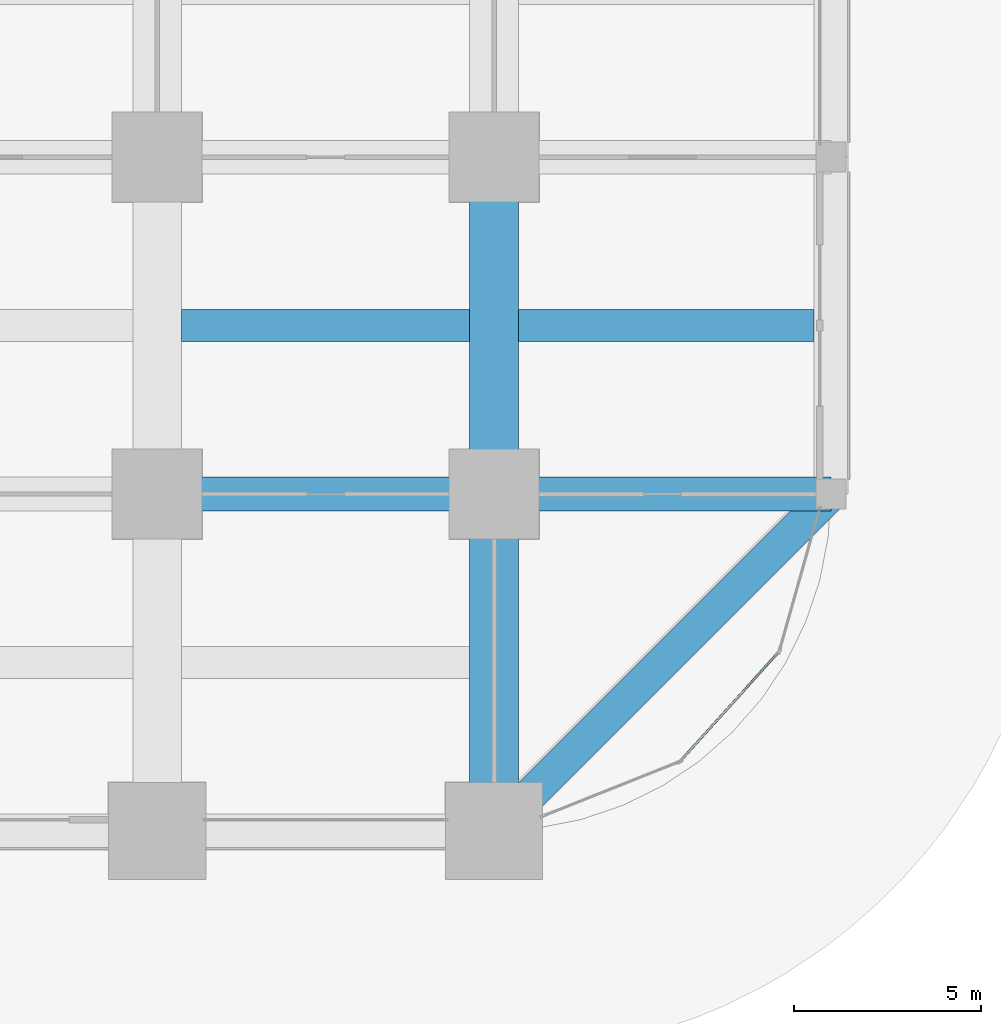
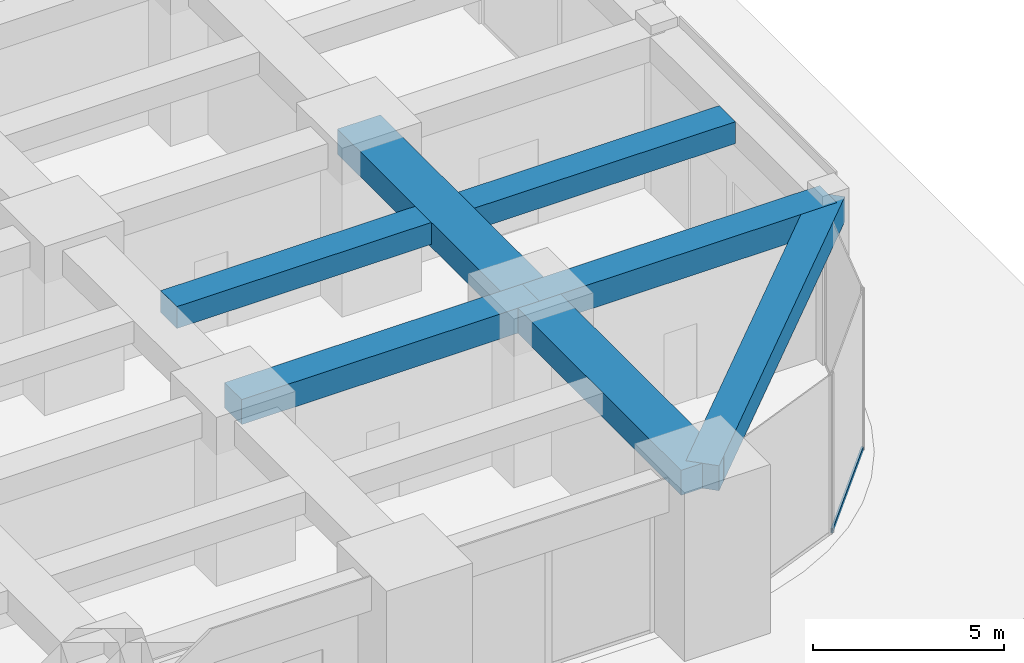
# One storey, part 30 of 56: 7 beams, 1 member, 1 element without a shape of its own.
"""IFC4 building model written with IfcOpenShell, lengths in metres."""

from ifc_helpers import new_model, si_unit, direction, frame, origin, origin_2d, place, context, subcontext, project, spatial, rectangle, hollow_rectangle, extrude, material, material_profile, profile_set, type_object, element, aggregate, save


model = new_model("IFC4")

# Units and contexts
model_context = context("Model", 3, precision=1e-05, world=origin(), true_north=direction((0.0, 1.0)))
body_context = subcontext(model_context, "Body", "Model", "MODEL_VIEW")
ifc_project = project(units=[si_unit("LENGTHUNIT", "METRE"), si_unit("AREAUNIT", "SQUARE_METRE"), si_unit("VOLUMEUNIT", "CUBIC_METRE"), si_unit("PLANEANGLEUNIT", "RADIAN"), si_unit("MASSUNIT", "GRAM", prefix="KILO")], contexts=[model_context])

# Site, building, storey
site_placement = place(None, origin())
site = spatial("IfcSite", under=ifc_project, at=site_placement, CompositionType="ELEMENT")
building_placement = place(site_placement, origin())
building = spatial("IfcBuilding", under=site, at=building_placement, Name="Zorevar Civic Tower", CompositionType="ELEMENT")
storey_placement = place(building_placement, origin())
storey = spatial("IfcBuildingStorey", under=building, at=storey_placement, Name="L00", CompositionType="ELEMENT", Elevation=0.0)

# Beams
ifc_material_1 = material(Name="Concrete C50/60", Category="concrete")
ifc_material_profile_1 = material_profile(ifc_material_1, rectangle(XDim=1.300048828125, YDim=0.800048828125, at=origin_2d()), Name="RC 1300x800")
ifc_profile_set_1 = profile_set([ifc_material_profile_1], Name="Concrete C50/60")
beam_type_1 = type_object("IfcBeamType", Name="Beam RC 1300x800", PredefinedType="BEAM", material=ifc_profile_set_1)
for number, where, z_axis, x_axis, name in (
    (1, (63.0, 0.0, 4.699951171875), (0.0, 1.0, 0.0), (-1.0, 0.0, 0.0), "Girder L01"),
    (2, (63.0, 9.0, 4.699951171875), (0.0, 1.0, 0.0), (-1.0, 0.0, 0.0), "Girder L01"),
):
    element("IfcBeam", number, at=place(storey_placement, frame(where, z_axis=z_axis, x_axis=x_axis)), inside=storey, type_object=beam_type_1, Name=name, PredefinedType="BEAM", context=body_context, shape_type="SweptSolid", body=[
        extrude(rectangle(XDim=1.300048828125, YDim=0.800048828125, at=origin_2d()), origin(), (0.0, 0.0, 1.0), 9.0),
    ])
ifc_material_2 = material(Name="Concrete C50/60", Category="concrete")
ifc_material_profile_2 = material_profile(ifc_material_2, rectangle(XDim=0.85009765625, YDim=0.699951171875, at=origin_2d()), Name="RC 850x700")
ifc_profile_set_2 = profile_set([ifc_material_profile_2], Name="Concrete C50/60")
beam_type_2 = type_object("IfcBeamType", Name="Beam RC 850x700", PredefinedType="BEAM", material=ifc_profile_set_2)
beam_1_placement = place(storey_placement, frame((54.64990234375, 13.5, 4.75), z_axis=(1.0, 0.0, 0.0), x_axis=(0.0, 1.0, 0.0)))
element("IfcBeam", 3, at=beam_1_placement, inside=storey, type_object=beam_type_2, Name="Secondary beam L01", PredefinedType="BEAM", context=body_context, shape_type="SweptSolid", body=[
    extrude(rectangle(XDim=0.85009765625, YDim=0.699951171875, at=origin_2d()), origin(), (0.0, 0.0, 1.0), 7.7001953125),
])
beam_2_placement = place(storey_placement, frame((63.64990234375, 13.5, 4.75), z_axis=(1.0, 0.0, 0.0), x_axis=(0.0, 1.0, 0.0)))
element("IfcBeam", 4, at=beam_2_placement, inside=storey, type_object=beam_type_2, Name="Secondary beam L01", PredefinedType="BEAM", context=body_context, shape_type="SweptSolid", body=[
    extrude(rectangle(XDim=0.85009765625, YDim=0.699951171875, at=origin_2d()), origin(), (0.0, 0.0, 1.0), 7.900146484375),
])
ifc_material_3 = material(Name="Concrete C50/60", Category="concrete")
ifc_material_profile_3 = material_profile(ifc_material_3, rectangle(XDim=0.89990234375, YDim=0.800048828125, at=origin_2d()), Name="RC 900x800")
ifc_profile_set_3 = profile_set([ifc_material_profile_3], Name="Concrete C50/60")
beam_type_3 = type_object("IfcBeamType", Name="Beam RC 900x800", PredefinedType="BEAM", material=ifc_profile_set_3)
for number, where, z_axis, x_axis, name in (
    (5, (54.0, 9.0, 4.699951171875), (1.0, 0.0, 0.0), (0.0, 1.0, 0.0), "Girder L01"),
    (6, (63.0, 9.0, 4.699951171875), (1.0, 0.0, 0.0), (0.0, 1.0, 0.0), "Girder L01"),
):
    element("IfcBeam", number, at=place(storey_placement, frame(where, z_axis=z_axis, x_axis=x_axis)), inside=storey, type_object=beam_type_3, Name=name, PredefinedType="BEAM", context=body_context, shape_type="SweptSolid", body=[
        extrude(rectangle(XDim=0.89990234375, YDim=0.800048828125, at=origin_2d()), origin(), (0.0, 0.0, 1.0), 9.0),
    ])

# Curtain wall, member
ifc_material_4 = material(Name="Dark grey solar-control glass in black aluminium frame", Category="aluminium")
curtain_wall_type = type_object("IfcCurtainWallType", Name="Curtain wall CW1 podium", PredefinedType="NOTDEFINED", material=ifc_material_4)
curtain_wall_placement = place(storey_placement, origin())
curtain_wall = element("IfcCurtainWall", 7, at=curtain_wall_placement, inside=storey, type_object=curtain_wall_type, Name="CW1 L00", PredefinedType="NOTDEFINED")
ifc_material_5 = material(Name="Aluminium, black anodised", Category="aluminium")
ifc_material_profile_4 = material_profile(ifc_material_5, hollow_rectangle(XDim=0.06005859375, YDim=0.14990234375, WallThickness=0.00390625, at=origin_2d()), Name="AL 150x60x4")
ifc_profile_set_4 = profile_set([ifc_material_profile_4], Name="Aluminium, black anodised")
member_type = type_object("IfcMemberType", Name="CW1 transom AL 150x60x4", PredefinedType="USERDEFINED", material=ifc_profile_set_4)
member_placement = place(storey_placement, frame((68.01171875, 1.905029296875, 0.030029296875), z_axis=(0.669390521788, 0.742910714245, 0.0), x_axis=(-0.742910714245, 0.669390521788, 0.0)))
member = element("IfcMember", 8, at=member_placement, type_object=member_type, Name="CW1 sill transom", ObjectType="TRANSOM", PredefinedType="USERDEFINED", context=body_context, shape_type="SweptSolid", body=[
    extrude(hollow_rectangle(XDim=0.06005859375, YDim=0.14990234375, WallThickness=0.00390625, at=origin_2d()), origin(), (0.0, 0.0, 1.0), 3.83203125),
])
aggregate(curtain_wall, [member])

# Beam
ifc_material_6 = material(Name="Concrete C50/60", Category="concrete")
ifc_material_profile_5 = material_profile(ifc_material_6, rectangle(XDim=0.89990234375, YDim=0.800048828125, at=origin_2d()), Name="RC 900x800")
ifc_profile_set_5 = profile_set([ifc_material_profile_5], Name="Concrete C50/60")
beam_type_4 = type_object("IfcBeamType", Name="Edge beam RC 900x800", PredefinedType="SPANDREL", material=ifc_profile_set_5)
beam_3_placement = place(storey_placement, frame((63.0, 0.0, 4.699951171875), z_axis=(0.707106781187, 0.707106781187, 0.0), x_axis=(-0.707106781187, 0.707106781187, 0.0)))
element("IfcBeam", 9, at=beam_3_placement, inside=storey, type_object=beam_type_4, Name="Corner edge beam L01", PredefinedType="SPANDREL", context=body_context, shape_type="SweptSolid", body=[
    extrude(rectangle(XDim=0.89990234375, YDim=0.800048828125, at=origin_2d()), origin(), (0.0, 0.0, 1.0), 12.72802734375),
])

save(model, "model.ifc")
